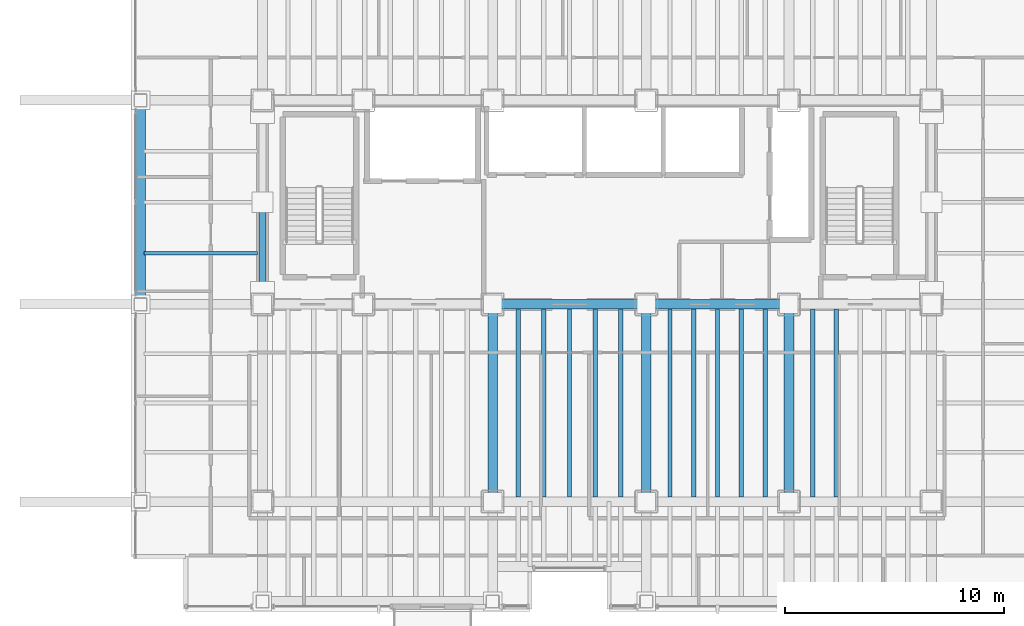
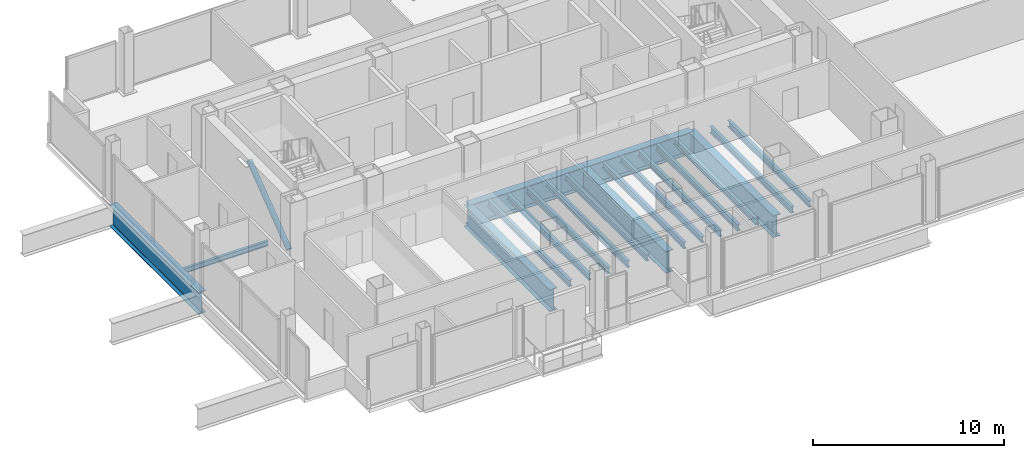
# One storey, part 7 of 23: 19 beams, 1 member.
"""IFC4 building model written with IfcOpenShell, lengths in metres."""

from ifc_helpers import new_model, si_unit, direction, frame, origin, origin_2d, place, context, subcontext, project, spatial, hollow_circle, i_section, extrude, material, material_profile, profile_set, type_object, element, save


model = new_model("IFC4")

# Units and contexts
model_context = context("Model", 3, precision=1e-05, world=origin(), true_north=direction((0.0, 1.0)))
body_context = subcontext(model_context, "Body", "Model", "MODEL_VIEW")
ifc_project = project(units=[si_unit("LENGTHUNIT", "METRE"), si_unit("AREAUNIT", "SQUARE_METRE"), si_unit("VOLUMEUNIT", "CUBIC_METRE"), si_unit("PLANEANGLEUNIT", "RADIAN"), si_unit("MASSUNIT", "GRAM", prefix="KILO")], contexts=[model_context])

# Site, building, storey
site_placement = place(None, origin())
site = spatial("IfcSite", under=ifc_project, at=site_placement, CompositionType="ELEMENT")
building_placement = place(site_placement, origin())
building = spatial("IfcBuilding", under=site, at=building_placement, Name="Noeulbin Bourse Tower", CompositionType="ELEMENT")
storey_placement = place(building_placement, frame((0.0, 0.0, 53.800048828125)))
storey = spatial("IfcBuildingStorey", under=building, at=storey_placement, Name="L13", CompositionType="ELEMENT", Elevation=53.800048828125)

# Beams
ifc_material_1 = material(Name="Steel S355", Category="steel")
ifc_material_profile_1 = material_profile(ifc_material_1, i_section(OverallWidth=0.159912109375, OverallDepth=0.320068359375, WebThickness=0.006591796875, FlangeThickness=0.010009765625, FilletRadius=0.012939453125, at=origin_2d()), Name="H-320x160x6.5x10", Category="LoadBearing")
ifc_profile_set_1 = profile_set([ifc_material_profile_1], Name="Steel S355")
beam_type_1 = type_object("IfcBeamType", Name="BM-JST-320", PredefinedType="JOIST", material=ifc_profile_set_1)
beam_1_placement = place(storey_placement, frame((8.10009765625, 31.324951171875, -0.400146484375), z_axis=(1.0, 0.0, 0.0), x_axis=(0.0, 1.0, 0.0)))
element("IfcBeam", 1, at=beam_1_placement, inside=storey, type_object=beam_type_1, Name="Wing Composite Joist L13-W73", PredefinedType="JOIST", context=body_context, shape_type="SweptSolid", body=[
    extrude(i_section(OverallWidth=0.159912109375, OverallDepth=0.320068359375, WebThickness=0.006591796875, FlangeThickness=0.010009765625, FilletRadius=0.012939453125, at=origin_2d()), origin(), (0.0, 0.0, 1.0), 5.1748046875),
])
ifc_material_profile_2 = material_profile(ifc_material_1, i_section(OverallWidth=0.199951171875, OverallDepth=0.39990234375, WebThickness=0.008056640625, FlangeThickness=0.012939453125, FilletRadius=0.01611328125, at=origin_2d()), Name="H-400x200x8x13", Category="LoadBearing")
ifc_profile_set_2 = profile_set([ifc_material_profile_2], Name="Steel S355")
beam_type_2 = type_object("IfcBeamType", Name="BM-SEC-400", PredefinedType="BEAM", material=ifc_profile_set_2)
for number, where, z_axis, x_axis, name in (
    (2, (25.166748046875, 20.22509765625, -0.43994140625), (0.0, 1.0, 0.0), (-1.0, 0.0, 0.0), "Tower Composite Joist L13-26"),
    (3, (26.333251953125, 20.22509765625, -0.43994140625), (0.0, 1.0, 0.0), (-1.0, 0.0, 0.0), "Tower Composite Joist L13-29"),
    (4, (27.5, 20.22509765625, -0.43994140625), (0.0, 1.0, 0.0), (-1.0, 0.0, 0.0), "Tower Composite Joist L13-32"),
    (5, (28.666748046875, 20.22509765625, -0.43994140625), (0.0, 1.0, 0.0), (-1.0, 0.0, 0.0), "Tower Composite Joist L13-35"),
    (6, (29.833251953125, 20.22509765625, -0.43994140625), (0.0, 1.0, 0.0), (-1.0, 0.0, 0.0), "Tower Composite Joist L13-38"),
    (7, (32.083251953125, 20.22509765625, -0.43994140625), (0.0, 1.0, 0.0), (-1.0, 0.0, 0.0), "Tower Composite Joist L13-41"),
    (8, (33.166748046875, 20.22509765625, -0.43994140625), (0.0, 1.0, 0.0), (-1.0, 0.0, 0.0), "Tower Composite Joist L13-44"),
    (9, (34.25, 20.22509765625, -0.43994140625), (0.0, 1.0, 0.0), (-1.0, 0.0, 0.0), "Tower Composite Joist L13-47"),
    (10, (35.333251953125, 20.22509765625, -0.43994140625), (0.0, 1.0, 0.0), (-1.0, 0.0, 0.0), "Tower Composite Joist L13-50"),
    (11, (36.416748046875, 20.22509765625, -0.43994140625), (0.0, 1.0, 0.0), (-1.0, 0.0, 0.0), "Tower Composite Joist L13-53"),
    (12, (38.583251953125, 20.22509765625, -0.43994140625), (0.0, 1.0, 0.0), (-1.0, 0.0, 0.0), "Tower Composite Joist L13-56"),
    (13, (39.666748046875, 20.22509765625, -0.43994140625), (0.0, 1.0, 0.0), (-1.0, 0.0, 0.0), "Tower Composite Joist L13-59"),
):
    element("IfcBeam", number, at=place(storey_placement, frame(where, z_axis=z_axis, x_axis=x_axis)), inside=storey, type_object=beam_type_2, Name=name, PredefinedType="BEAM", context=body_context, shape_type="SweptSolid", body=[
        extrude(i_section(OverallWidth=0.199951171875, OverallDepth=0.39990234375, WebThickness=0.008056640625, FlangeThickness=0.012939453125, FilletRadius=0.01611328125, at=origin_2d()), origin(), (0.0, 0.0, 1.0), 8.5498046875),
    ])
ifc_material_2 = material(Name="Steel S460", Category="steel")
ifc_material_profile_3 = material_profile(ifc_material_2, i_section(OverallWidth=0.449951171875, OverallDepth=1.39990234375, WebThickness=0.02392578125, FlangeThickness=0.0400390625, FilletRadius=0.02392578125, at=origin_2d()), Name="PG-1400x450x24x40", Category="LoadBearing")
ifc_profile_set_3 = profile_set([ifc_material_profile_3], Name="Steel S460")
beam_type_3 = type_object("IfcBeamType", Name="BM-TRF-1400", PredefinedType="USERDEFINED", material=ifc_profile_set_3)
beam_2_placement = place(storey_placement, frame((24.0, 29.0, -0.93994140625), z_axis=(1.0, 0.0, 0.0), x_axis=(0.0, 1.0, 0.0)))
element("IfcBeam", 14, at=beam_2_placement, inside=storey, type_object=beam_type_3, Name="Tower Primary Girder EW L13-2.3", ObjectType="GIRDER", PredefinedType="USERDEFINED", context=body_context, shape_type="SweptSolid", body=[
    extrude(i_section(OverallWidth=0.449951171875, OverallDepth=1.39990234375, WebThickness=0.02392578125, FlangeThickness=0.0400390625, FilletRadius=0.02392578125, at=origin_2d()), origin(), (0.0, 0.0, 1.0), 7.0),
])
beam_3_placement = place(storey_placement, frame((31.0, 29.0, -0.93994140625), z_axis=(1.0, 0.0, 0.0), x_axis=(0.0, 1.0, 0.0)))
element("IfcBeam", 15, at=beam_3_placement, inside=storey, type_object=beam_type_3, Name="Tower Primary Girder EW L13-2.4", ObjectType="GIRDER", PredefinedType="USERDEFINED", context=body_context, shape_type="SweptSolid", body=[
    extrude(i_section(OverallWidth=0.449951171875, OverallDepth=1.39990234375, WebThickness=0.02392578125, FlangeThickness=0.0400390625, FilletRadius=0.02392578125, at=origin_2d()), origin(), (0.0, 0.0, 1.0), 6.5),
])
for number, where, z_axis, x_axis, name in (
    (16, (24.0, 20.0, -0.93994140625), (0.0, 1.0, 0.0), (-1.0, 0.0, 0.0), "Tower Primary Girder NS L13-2.2"),
    (17, (31.0, 20.0, -0.93994140625), (0.0, 1.0, 0.0), (-1.0, 0.0, 0.0), "Tower Primary Girder NS L13-3.2"),
    (18, (37.5, 20.0, -0.93994140625), (0.0, 1.0, 0.0), (-1.0, 0.0, 0.0), "Tower Primary Girder NS L13-4.2"),
):
    element("IfcBeam", number, at=place(storey_placement, frame(where, z_axis=z_axis, x_axis=x_axis)), inside=storey, type_object=beam_type_3, Name=name, ObjectType="GIRDER", PredefinedType="USERDEFINED", context=body_context, shape_type="SweptSolid", body=[
        extrude(i_section(OverallWidth=0.449951171875, OverallDepth=1.39990234375, WebThickness=0.02392578125, FlangeThickness=0.0400390625, FilletRadius=0.02392578125, at=origin_2d()), origin(), (0.0, 0.0, 1.0), 9.0),
    ])
beam_4_placement = place(storey_placement, frame((7.949951171875, 29.0, -0.93994140625), z_axis=(0.0, 1.0, 0.0), x_axis=(-1.0, 0.0, 0.0)))
element("IfcBeam", 19, at=beam_4_placement, inside=storey, type_object=beam_type_3, Name="West Spandrel L13-2", ObjectType="GIRDER", PredefinedType="USERDEFINED", context=body_context, shape_type="SweptSolid", body=[
    extrude(i_section(OverallWidth=0.449951171875, OverallDepth=1.39990234375, WebThickness=0.02392578125, FlangeThickness=0.0400390625, FilletRadius=0.02392578125, at=origin_2d()), origin(), (0.0, 0.0, 1.0), 9.300048828125),
])

# Member
ifc_material_profile_4 = material_profile(ifc_material_1, hollow_circle(Radius=0.1591796875, WallThickness=0.01025390625, at=origin_2d()), Name="CHS-318.5x10.3", Category="LoadBearing")
ifc_profile_set_4 = profile_set([ifc_material_profile_4], Name="Steel S355")
member_type = type_object("IfcMemberType", Name="MEM-EXO-318", PredefinedType="BRACE", material=ifc_profile_set_4)
member_placement = place(storey_placement, frame((13.5, 29.5, 0.199951171875), z_axis=(0.0, 0.794684163041, 0.607023130541), x_axis=(-1.0, 0.0, 0.0)))
element("IfcMember", 20, at=member_placement, inside=storey, type_object=member_type, Name="Core Flank Chevron Brace XT-L13-W1", PredefinedType="BRACE", context=body_context, shape_type="SweptSolid", body=[
    extrude(hollow_circle(Radius=0.1591796875, WallThickness=0.01025390625, at=origin_2d()), origin(), (0.0, 0.0, 1.0), 5.22216796875),
])

save(model, "model.ifc")
